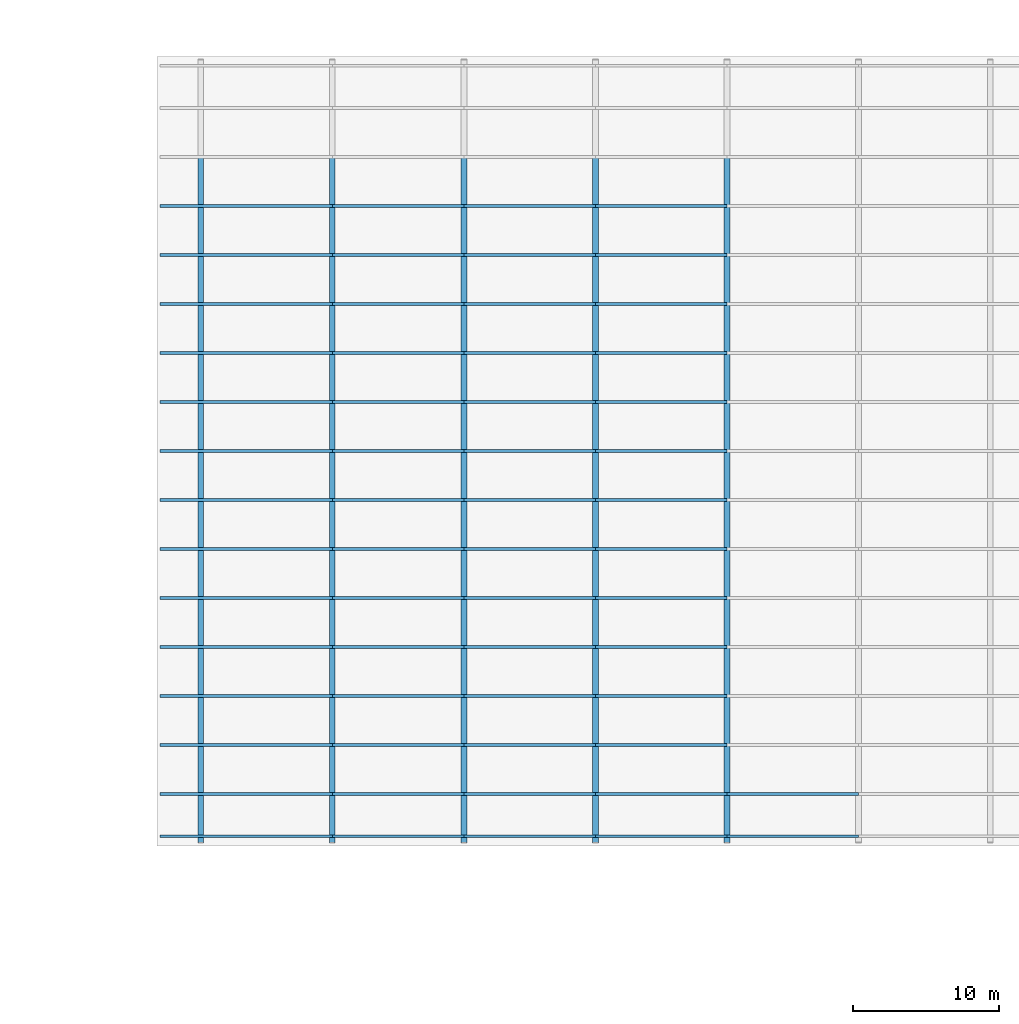
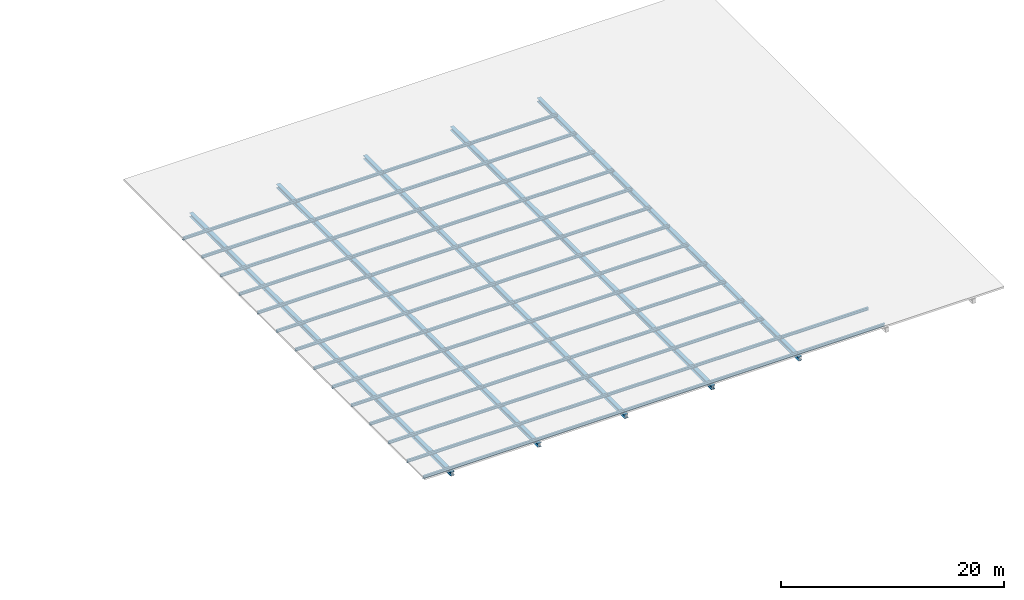
# One storey, part 7 of 32: 93 members.
"""IFC4 building model written with IfcOpenShell, lengths in metres."""

from ifc_helpers import new_model, si_unit, direction, frame, origin, origin_2d, place, context, subcontext, project, spatial, i_section, extrude, material, material_profile, profile_set, type_object, element, save


model = new_model("IFC4")

# Units and contexts
model_context = context("Model", 3, precision=1e-05, world=origin(), true_north=direction((0.0, 1.0)))
body_context = subcontext(model_context, "Body", "Model", "MODEL_VIEW")
ifc_project = project(units=[si_unit("LENGTHUNIT", "METRE"), si_unit("AREAUNIT", "SQUARE_METRE"), si_unit("VOLUMEUNIT", "CUBIC_METRE"), si_unit("PLANEANGLEUNIT", "RADIAN"), si_unit("MASSUNIT", "GRAM", prefix="KILO")], contexts=[model_context])

# Site, building, storey
site_placement = place(None, origin())
site = spatial("IfcSite", under=ifc_project, at=site_placement, CompositionType="ELEMENT")
building_placement = place(site_placement, origin())
building = spatial("IfcBuilding", under=site, at=building_placement, Name="Hunhe Ridgeline Campus", CompositionType="ELEMENT")
storey_placement = place(building_placement, frame((0.0, 0.0, 26.39990234375)))
storey = spatial("IfcBuildingStorey", under=building, at=storey_placement, Name="L05", CompositionType="ELEMENT", Elevation=26.39990234375)

# Members
ifc_material = material(Name="Steel Q355", Category="steel")
ifc_material_profile_1 = material_profile(ifc_material, i_section(OverallWidth=0.199951171875, OverallDepth=0.2939453125, WebThickness=0.008056640625, FlangeThickness=0.011962890625, FilletRadius=0.012939453125, at=origin_2d()))
ifc_profile_set_1 = profile_set([ifc_material_profile_1], Name="Steel Q355")
member_type_1 = type_object("IfcMemberType", Name="Roof purlin HM294x200x8x12 Q355", PredefinedType="PURLIN", material=ifc_profile_set_1)
member_1_placement = place(storey_placement, frame((150.199951171875, 23.14990234375, 0.72705078125), z_axis=(1.0, 0.0, 0.0), x_axis=(0.0, 1.0, 0.0)))
element("IfcMember", 1, at=member_1_placement, inside=storey, type_object=member_type_1, Name="Roof purlin 1", PredefinedType="PURLIN", context=body_context, shape_type="SweptSolid", body=[
    extrude(i_section(OverallWidth=0.199951171875, OverallDepth=0.2939453125, WebThickness=0.008056640625, FlangeThickness=0.011962890625, FilletRadius=0.012939453125, at=origin_2d()), origin(), (0.0, 0.0, 1.0), 11.800048828125),
])
for number, where, z_axis, x_axis, name in (
    (2, (162.0, 23.14990234375, 0.72705078125), (1.0, 0.0, 0.0), (0.0, 1.0, 0.0), "Roof purlin 2"),
    (3, (171.0, 23.14990234375, 0.72705078125), (1.0, 0.0, 0.0), (0.0, 1.0, 0.0), "Roof purlin 3"),
    (4, (180.0, 23.14990234375, 0.72705078125), (1.0, 0.0, 0.0), (0.0, 1.0, 0.0), "Roof purlin 4"),
    (5, (189.0, 23.14990234375, 0.72705078125), (1.0, 0.0, 0.0), (0.0, 1.0, 0.0), "Roof purlin 5"),
):
    element("IfcMember", number, at=place(storey_placement, frame(where, z_axis=z_axis, x_axis=x_axis)), inside=storey, type_object=member_type_1, Name=name, PredefinedType="PURLIN", context=body_context, shape_type="SweptSolid", body=[
        extrude(i_section(OverallWidth=0.199951171875, OverallDepth=0.2939453125, WebThickness=0.008056640625, FlangeThickness=0.011962890625, FilletRadius=0.012939453125, at=origin_2d()), origin(), (0.0, 0.0, 1.0), 9.0),
    ])
member_2_placement = place(storey_placement, frame((150.199951171875, 26.050048828125, 0.72705078125), z_axis=(1.0, 0.0, 0.0), x_axis=(0.0, 1.0, 0.0)))
element("IfcMember", 6, at=member_2_placement, inside=storey, type_object=member_type_1, Name="Roof purlin 7", PredefinedType="PURLIN", context=body_context, shape_type="SweptSolid", body=[
    extrude(i_section(OverallWidth=0.199951171875, OverallDepth=0.2939453125, WebThickness=0.008056640625, FlangeThickness=0.011962890625, FilletRadius=0.012939453125, at=origin_2d()), origin(), (0.0, 0.0, 1.0), 11.800048828125),
])
for number, where, z_axis, x_axis, name in (
    (7, (162.0, 26.050048828125, 0.72705078125), (1.0, 0.0, 0.0), (0.0, 1.0, 0.0), "Roof purlin 8"),
    (8, (171.0, 26.050048828125, 0.72705078125), (1.0, 0.0, 0.0), (0.0, 1.0, 0.0), "Roof purlin 9"),
    (9, (180.0, 26.050048828125, 0.72705078125), (1.0, 0.0, 0.0), (0.0, 1.0, 0.0), "Roof purlin 10"),
    (10, (189.0, 26.050048828125, 0.72705078125), (1.0, 0.0, 0.0), (0.0, 1.0, 0.0), "Roof purlin 11"),
):
    element("IfcMember", number, at=place(storey_placement, frame(where, z_axis=z_axis, x_axis=x_axis)), inside=storey, type_object=member_type_1, Name=name, PredefinedType="PURLIN", context=body_context, shape_type="SweptSolid", body=[
        extrude(i_section(OverallWidth=0.199951171875, OverallDepth=0.2939453125, WebThickness=0.008056640625, FlangeThickness=0.011962890625, FilletRadius=0.012939453125, at=origin_2d()), origin(), (0.0, 0.0, 1.0), 9.0),
    ])
member_3_placement = place(storey_placement, frame((150.199951171875, 29.39990234375, 0.72705078125), z_axis=(1.0, 0.0, 0.0), x_axis=(0.0, 1.0, 0.0)))
element("IfcMember", 11, at=member_3_placement, inside=storey, type_object=member_type_1, Name="Roof purlin 13", PredefinedType="PURLIN", context=body_context, shape_type="SweptSolid", body=[
    extrude(i_section(OverallWidth=0.199951171875, OverallDepth=0.2939453125, WebThickness=0.008056640625, FlangeThickness=0.011962890625, FilletRadius=0.012939453125, at=origin_2d()), origin(), (0.0, 0.0, 1.0), 11.800048828125),
])
for number, where, z_axis, x_axis, name in (
    (12, (162.0, 29.39990234375, 0.72705078125), (1.0, 0.0, 0.0), (0.0, 1.0, 0.0), "Roof purlin 14"),
    (13, (171.0, 29.39990234375, 0.72705078125), (1.0, 0.0, 0.0), (0.0, 1.0, 0.0), "Roof purlin 15"),
    (14, (180.0, 29.39990234375, 0.72705078125), (1.0, 0.0, 0.0), (0.0, 1.0, 0.0), "Roof purlin 16"),
):
    element("IfcMember", number, at=place(storey_placement, frame(where, z_axis=z_axis, x_axis=x_axis)), inside=storey, type_object=member_type_1, Name=name, PredefinedType="PURLIN", context=body_context, shape_type="SweptSolid", body=[
        extrude(i_section(OverallWidth=0.199951171875, OverallDepth=0.2939453125, WebThickness=0.008056640625, FlangeThickness=0.011962890625, FilletRadius=0.012939453125, at=origin_2d()), origin(), (0.0, 0.0, 1.0), 9.0),
    ])
member_4_placement = place(storey_placement, frame((150.199951171875, 32.75, 0.72705078125), z_axis=(1.0, 0.0, 0.0), x_axis=(0.0, 1.0, 0.0)))
element("IfcMember", 15, at=member_4_placement, inside=storey, type_object=member_type_1, Name="Roof purlin 19", PredefinedType="PURLIN", context=body_context, shape_type="SweptSolid", body=[
    extrude(i_section(OverallWidth=0.199951171875, OverallDepth=0.2939453125, WebThickness=0.008056640625, FlangeThickness=0.011962890625, FilletRadius=0.012939453125, at=origin_2d()), origin(), (0.0, 0.0, 1.0), 11.800048828125),
])
for number, where, z_axis, x_axis, name in (
    (16, (162.0, 32.75, 0.72705078125), (1.0, 0.0, 0.0), (0.0, 1.0, 0.0), "Roof purlin 20"),
    (17, (171.0, 32.75, 0.72705078125), (1.0, 0.0, 0.0), (0.0, 1.0, 0.0), "Roof purlin 21"),
    (18, (180.0, 32.75, 0.72705078125), (1.0, 0.0, 0.0), (0.0, 1.0, 0.0), "Roof purlin 22"),
):
    element("IfcMember", number, at=place(storey_placement, frame(where, z_axis=z_axis, x_axis=x_axis)), inside=storey, type_object=member_type_1, Name=name, PredefinedType="PURLIN", context=body_context, shape_type="SweptSolid", body=[
        extrude(i_section(OverallWidth=0.199951171875, OverallDepth=0.2939453125, WebThickness=0.008056640625, FlangeThickness=0.011962890625, FilletRadius=0.012939453125, at=origin_2d()), origin(), (0.0, 0.0, 1.0), 9.0),
    ])
member_5_placement = place(storey_placement, frame((150.199951171875, 36.10009765625, 0.72705078125), z_axis=(1.0, 0.0, 0.0), x_axis=(0.0, 1.0, 0.0)))
element("IfcMember", 19, at=member_5_placement, inside=storey, type_object=member_type_1, Name="Roof purlin 25", PredefinedType="PURLIN", context=body_context, shape_type="SweptSolid", body=[
    extrude(i_section(OverallWidth=0.199951171875, OverallDepth=0.2939453125, WebThickness=0.008056640625, FlangeThickness=0.011962890625, FilletRadius=0.012939453125, at=origin_2d()), origin(), (0.0, 0.0, 1.0), 11.800048828125),
])
for number, where, z_axis, x_axis, name in (
    (20, (162.0, 36.10009765625, 0.72705078125), (1.0, 0.0, 0.0), (0.0, 1.0, 0.0), "Roof purlin 26"),
    (21, (171.0, 36.10009765625, 0.72705078125), (1.0, 0.0, 0.0), (0.0, 1.0, 0.0), "Roof purlin 27"),
    (22, (180.0, 36.10009765625, 0.72705078125), (1.0, 0.0, 0.0), (0.0, 1.0, 0.0), "Roof purlin 28"),
):
    element("IfcMember", number, at=place(storey_placement, frame(where, z_axis=z_axis, x_axis=x_axis)), inside=storey, type_object=member_type_1, Name=name, PredefinedType="PURLIN", context=body_context, shape_type="SweptSolid", body=[
        extrude(i_section(OverallWidth=0.199951171875, OverallDepth=0.2939453125, WebThickness=0.008056640625, FlangeThickness=0.011962890625, FilletRadius=0.012939453125, at=origin_2d()), origin(), (0.0, 0.0, 1.0), 9.0),
    ])
member_6_placement = place(storey_placement, frame((150.199951171875, 39.449951171875, 0.72705078125), z_axis=(1.0, 0.0, 0.0), x_axis=(0.0, 1.0, 0.0)))
element("IfcMember", 23, at=member_6_placement, inside=storey, type_object=member_type_1, Name="Roof purlin 31", PredefinedType="PURLIN", context=body_context, shape_type="SweptSolid", body=[
    extrude(i_section(OverallWidth=0.199951171875, OverallDepth=0.2939453125, WebThickness=0.008056640625, FlangeThickness=0.011962890625, FilletRadius=0.012939453125, at=origin_2d()), origin(), (0.0, 0.0, 1.0), 11.800048828125),
])
for number, where, z_axis, x_axis, name in (
    (24, (162.0, 39.449951171875, 0.72705078125), (1.0, 0.0, 0.0), (0.0, 1.0, 0.0), "Roof purlin 32"),
    (25, (171.0, 39.449951171875, 0.72705078125), (1.0, 0.0, 0.0), (0.0, 1.0, 0.0), "Roof purlin 33"),
    (26, (180.0, 39.449951171875, 0.72705078125), (1.0, 0.0, 0.0), (0.0, 1.0, 0.0), "Roof purlin 34"),
):
    element("IfcMember", number, at=place(storey_placement, frame(where, z_axis=z_axis, x_axis=x_axis)), inside=storey, type_object=member_type_1, Name=name, PredefinedType="PURLIN", context=body_context, shape_type="SweptSolid", body=[
        extrude(i_section(OverallWidth=0.199951171875, OverallDepth=0.2939453125, WebThickness=0.008056640625, FlangeThickness=0.011962890625, FilletRadius=0.012939453125, at=origin_2d()), origin(), (0.0, 0.0, 1.0), 9.0),
    ])
member_7_placement = place(storey_placement, frame((150.199951171875, 42.800048828125, 0.72705078125), z_axis=(1.0, 0.0, 0.0), x_axis=(0.0, 1.0, 0.0)))
element("IfcMember", 27, at=member_7_placement, inside=storey, type_object=member_type_1, Name="Roof purlin 37", PredefinedType="PURLIN", context=body_context, shape_type="SweptSolid", body=[
    extrude(i_section(OverallWidth=0.199951171875, OverallDepth=0.2939453125, WebThickness=0.008056640625, FlangeThickness=0.011962890625, FilletRadius=0.012939453125, at=origin_2d()), origin(), (0.0, 0.0, 1.0), 11.800048828125),
])
for number, where, z_axis, x_axis, name in (
    (28, (162.0, 42.800048828125, 0.72705078125), (1.0, 0.0, 0.0), (0.0, 1.0, 0.0), "Roof purlin 38"),
    (29, (171.0, 42.800048828125, 0.72705078125), (1.0, 0.0, 0.0), (0.0, 1.0, 0.0), "Roof purlin 39"),
    (30, (180.0, 42.800048828125, 0.72705078125), (1.0, 0.0, 0.0), (0.0, 1.0, 0.0), "Roof purlin 40"),
):
    element("IfcMember", number, at=place(storey_placement, frame(where, z_axis=z_axis, x_axis=x_axis)), inside=storey, type_object=member_type_1, Name=name, PredefinedType="PURLIN", context=body_context, shape_type="SweptSolid", body=[
        extrude(i_section(OverallWidth=0.199951171875, OverallDepth=0.2939453125, WebThickness=0.008056640625, FlangeThickness=0.011962890625, FilletRadius=0.012939453125, at=origin_2d()), origin(), (0.0, 0.0, 1.0), 9.0),
    ])
member_8_placement = place(storey_placement, frame((150.199951171875, 46.14990234375, 0.72705078125), z_axis=(1.0, 0.0, 0.0), x_axis=(0.0, 1.0, 0.0)))
element("IfcMember", 31, at=member_8_placement, inside=storey, type_object=member_type_1, Name="Roof purlin 43", PredefinedType="PURLIN", context=body_context, shape_type="SweptSolid", body=[
    extrude(i_section(OverallWidth=0.199951171875, OverallDepth=0.2939453125, WebThickness=0.008056640625, FlangeThickness=0.011962890625, FilletRadius=0.012939453125, at=origin_2d()), origin(), (0.0, 0.0, 1.0), 11.800048828125),
])
for number, where, z_axis, x_axis, name in (
    (32, (162.0, 46.14990234375, 0.72705078125), (1.0, 0.0, 0.0), (0.0, 1.0, 0.0), "Roof purlin 44"),
    (33, (171.0, 46.14990234375, 0.72705078125), (1.0, 0.0, 0.0), (0.0, 1.0, 0.0), "Roof purlin 45"),
    (34, (180.0, 46.14990234375, 0.72705078125), (1.0, 0.0, 0.0), (0.0, 1.0, 0.0), "Roof purlin 46"),
):
    element("IfcMember", number, at=place(storey_placement, frame(where, z_axis=z_axis, x_axis=x_axis)), inside=storey, type_object=member_type_1, Name=name, PredefinedType="PURLIN", context=body_context, shape_type="SweptSolid", body=[
        extrude(i_section(OverallWidth=0.199951171875, OverallDepth=0.2939453125, WebThickness=0.008056640625, FlangeThickness=0.011962890625, FilletRadius=0.012939453125, at=origin_2d()), origin(), (0.0, 0.0, 1.0), 9.0),
    ])
member_9_placement = place(storey_placement, frame((150.199951171875, 49.5, 0.72705078125), z_axis=(1.0, 0.0, 0.0), x_axis=(0.0, 1.0, 0.0)))
element("IfcMember", 35, at=member_9_placement, inside=storey, type_object=member_type_1, Name="Roof purlin 49", PredefinedType="PURLIN", context=body_context, shape_type="SweptSolid", body=[
    extrude(i_section(OverallWidth=0.199951171875, OverallDepth=0.2939453125, WebThickness=0.008056640625, FlangeThickness=0.011962890625, FilletRadius=0.012939453125, at=origin_2d()), origin(), (0.0, 0.0, 1.0), 11.800048828125),
])
for number, where, z_axis, x_axis, name in (
    (36, (162.0, 49.5, 0.72705078125), (1.0, 0.0, 0.0), (0.0, 1.0, 0.0), "Roof purlin 50"),
    (37, (171.0, 49.5, 0.72705078125), (1.0, 0.0, 0.0), (0.0, 1.0, 0.0), "Roof purlin 51"),
    (38, (180.0, 49.5, 0.72705078125), (1.0, 0.0, 0.0), (0.0, 1.0, 0.0), "Roof purlin 52"),
):
    element("IfcMember", number, at=place(storey_placement, frame(where, z_axis=z_axis, x_axis=x_axis)), inside=storey, type_object=member_type_1, Name=name, PredefinedType="PURLIN", context=body_context, shape_type="SweptSolid", body=[
        extrude(i_section(OverallWidth=0.199951171875, OverallDepth=0.2939453125, WebThickness=0.008056640625, FlangeThickness=0.011962890625, FilletRadius=0.012939453125, at=origin_2d()), origin(), (0.0, 0.0, 1.0), 9.0),
    ])
member_10_placement = place(storey_placement, frame((150.199951171875, 52.85009765625, 0.72705078125), z_axis=(1.0, 0.0, 0.0), x_axis=(0.0, 1.0, 0.0)))
element("IfcMember", 39, at=member_10_placement, inside=storey, type_object=member_type_1, Name="Roof purlin 55", PredefinedType="PURLIN", context=body_context, shape_type="SweptSolid", body=[
    extrude(i_section(OverallWidth=0.199951171875, OverallDepth=0.2939453125, WebThickness=0.008056640625, FlangeThickness=0.011962890625, FilletRadius=0.012939453125, at=origin_2d()), origin(), (0.0, 0.0, 1.0), 11.800048828125),
])
for number, where, z_axis, x_axis, name in (
    (40, (162.0, 52.85009765625, 0.72705078125), (1.0, 0.0, 0.0), (0.0, 1.0, 0.0), "Roof purlin 56"),
    (41, (171.0, 52.85009765625, 0.72705078125), (1.0, 0.0, 0.0), (0.0, 1.0, 0.0), "Roof purlin 57"),
    (42, (180.0, 52.85009765625, 0.72705078125), (1.0, 0.0, 0.0), (0.0, 1.0, 0.0), "Roof purlin 58"),
):
    element("IfcMember", number, at=place(storey_placement, frame(where, z_axis=z_axis, x_axis=x_axis)), inside=storey, type_object=member_type_1, Name=name, PredefinedType="PURLIN", context=body_context, shape_type="SweptSolid", body=[
        extrude(i_section(OverallWidth=0.199951171875, OverallDepth=0.2939453125, WebThickness=0.008056640625, FlangeThickness=0.011962890625, FilletRadius=0.012939453125, at=origin_2d()), origin(), (0.0, 0.0, 1.0), 9.0),
    ])
member_11_placement = place(storey_placement, frame((150.199951171875, 56.199951171875, 0.72705078125), z_axis=(1.0, 0.0, 0.0), x_axis=(0.0, 1.0, 0.0)))
element("IfcMember", 43, at=member_11_placement, inside=storey, type_object=member_type_1, Name="Roof purlin 61", PredefinedType="PURLIN", context=body_context, shape_type="SweptSolid", body=[
    extrude(i_section(OverallWidth=0.199951171875, OverallDepth=0.2939453125, WebThickness=0.008056640625, FlangeThickness=0.011962890625, FilletRadius=0.012939453125, at=origin_2d()), origin(), (0.0, 0.0, 1.0), 11.800048828125),
])
for number, where, z_axis, x_axis, name in (
    (44, (162.0, 56.199951171875, 0.72705078125), (1.0, 0.0, 0.0), (0.0, 1.0, 0.0), "Roof purlin 62"),
    (45, (171.0, 56.199951171875, 0.72705078125), (1.0, 0.0, 0.0), (0.0, 1.0, 0.0), "Roof purlin 63"),
    (46, (180.0, 56.199951171875, 0.72705078125), (1.0, 0.0, 0.0), (0.0, 1.0, 0.0), "Roof purlin 64"),
):
    element("IfcMember", number, at=place(storey_placement, frame(where, z_axis=z_axis, x_axis=x_axis)), inside=storey, type_object=member_type_1, Name=name, PredefinedType="PURLIN", context=body_context, shape_type="SweptSolid", body=[
        extrude(i_section(OverallWidth=0.199951171875, OverallDepth=0.2939453125, WebThickness=0.008056640625, FlangeThickness=0.011962890625, FilletRadius=0.012939453125, at=origin_2d()), origin(), (0.0, 0.0, 1.0), 9.0),
    ])
member_12_placement = place(storey_placement, frame((150.199951171875, 59.550048828125, 0.72705078125), z_axis=(1.0, 0.0, 0.0), x_axis=(0.0, 1.0, 0.0)))
element("IfcMember", 47, at=member_12_placement, inside=storey, type_object=member_type_1, Name="Roof purlin 67", PredefinedType="PURLIN", context=body_context, shape_type="SweptSolid", body=[
    extrude(i_section(OverallWidth=0.199951171875, OverallDepth=0.2939453125, WebThickness=0.008056640625, FlangeThickness=0.011962890625, FilletRadius=0.012939453125, at=origin_2d()), origin(), (0.0, 0.0, 1.0), 11.800048828125),
])
for number, where, z_axis, x_axis, name in (
    (48, (162.0, 59.550048828125, 0.72705078125), (1.0, 0.0, 0.0), (0.0, 1.0, 0.0), "Roof purlin 68"),
    (49, (171.0, 59.550048828125, 0.72705078125), (1.0, 0.0, 0.0), (0.0, 1.0, 0.0), "Roof purlin 69"),
    (50, (180.0, 59.550048828125, 0.72705078125), (1.0, 0.0, 0.0), (0.0, 1.0, 0.0), "Roof purlin 70"),
):
    element("IfcMember", number, at=place(storey_placement, frame(where, z_axis=z_axis, x_axis=x_axis)), inside=storey, type_object=member_type_1, Name=name, PredefinedType="PURLIN", context=body_context, shape_type="SweptSolid", body=[
        extrude(i_section(OverallWidth=0.199951171875, OverallDepth=0.2939453125, WebThickness=0.008056640625, FlangeThickness=0.011962890625, FilletRadius=0.012939453125, at=origin_2d()), origin(), (0.0, 0.0, 1.0), 9.0),
    ])
member_13_placement = place(storey_placement, frame((150.199951171875, 62.89990234375, 0.72705078125), z_axis=(1.0, 0.0, 0.0), x_axis=(0.0, 1.0, 0.0)))
element("IfcMember", 51, at=member_13_placement, inside=storey, type_object=member_type_1, Name="Roof purlin 73", PredefinedType="PURLIN", context=body_context, shape_type="SweptSolid", body=[
    extrude(i_section(OverallWidth=0.199951171875, OverallDepth=0.2939453125, WebThickness=0.008056640625, FlangeThickness=0.011962890625, FilletRadius=0.012939453125, at=origin_2d()), origin(), (0.0, 0.0, 1.0), 11.800048828125),
])
for number, where, z_axis, x_axis, name in (
    (52, (162.0, 62.89990234375, 0.72705078125), (1.0, 0.0, 0.0), (0.0, 1.0, 0.0), "Roof purlin 74"),
    (53, (171.0, 62.89990234375, 0.72705078125), (1.0, 0.0, 0.0), (0.0, 1.0, 0.0), "Roof purlin 75"),
    (54, (180.0, 62.89990234375, 0.72705078125), (1.0, 0.0, 0.0), (0.0, 1.0, 0.0), "Roof purlin 76"),
):
    element("IfcMember", number, at=place(storey_placement, frame(where, z_axis=z_axis, x_axis=x_axis)), inside=storey, type_object=member_type_1, Name=name, PredefinedType="PURLIN", context=body_context, shape_type="SweptSolid", body=[
        extrude(i_section(OverallWidth=0.199951171875, OverallDepth=0.2939453125, WebThickness=0.008056640625, FlangeThickness=0.011962890625, FilletRadius=0.012939453125, at=origin_2d()), origin(), (0.0, 0.0, 1.0), 9.0),
    ])
member_14_placement = place(storey_placement, frame((150.199951171875, 66.25, 0.72705078125), z_axis=(1.0, 0.0, 0.0), x_axis=(0.0, 1.0, 0.0)))
element("IfcMember", 55, at=member_14_placement, inside=storey, type_object=member_type_1, Name="Roof purlin 79", PredefinedType="PURLIN", context=body_context, shape_type="SweptSolid", body=[
    extrude(i_section(OverallWidth=0.199951171875, OverallDepth=0.2939453125, WebThickness=0.008056640625, FlangeThickness=0.011962890625, FilletRadius=0.012939453125, at=origin_2d()), origin(), (0.0, 0.0, 1.0), 11.800048828125),
])
for number, where, z_axis, x_axis, name in (
    (56, (162.0, 66.25, 0.72705078125), (1.0, 0.0, 0.0), (0.0, 1.0, 0.0), "Roof purlin 80"),
    (57, (171.0, 66.25, 0.72705078125), (1.0, 0.0, 0.0), (0.0, 1.0, 0.0), "Roof purlin 81"),
    (58, (180.0, 66.25, 0.72705078125), (1.0, 0.0, 0.0), (0.0, 1.0, 0.0), "Roof purlin 82"),
):
    element("IfcMember", number, at=place(storey_placement, frame(where, z_axis=z_axis, x_axis=x_axis)), inside=storey, type_object=member_type_1, Name=name, PredefinedType="PURLIN", context=body_context, shape_type="SweptSolid", body=[
        extrude(i_section(OverallWidth=0.199951171875, OverallDepth=0.2939453125, WebThickness=0.008056640625, FlangeThickness=0.011962890625, FilletRadius=0.012939453125, at=origin_2d()), origin(), (0.0, 0.0, 1.0), 9.0),
    ])
ifc_material_profile_2 = material_profile(ifc_material, i_section(OverallWidth=0.39990234375, OverallDepth=0.39990234375, WebThickness=0.012939453125, FlangeThickness=0.02099609375, FilletRadius=0.02197265625, at=origin_2d()))
ifc_profile_set_2 = profile_set([ifc_material_profile_2], Name="Steel Q355")
member_type_2 = type_object("IfcMemberType", Name="Roof truss chord HW400x400x13x21 Q355", PredefinedType="CHORD", material=ifc_profile_set_2)
member_15_placement = place(storey_placement, frame((153.0, 22.699951171875, 0.39013671875), z_axis=(0.0, 1.0, 0.0), x_axis=(-1.0, 0.0, 0.0)))
element("IfcMember", 59, at=member_15_placement, inside=storey, type_object=member_type_2, Name="Roof truss 1 top chord 1", PredefinedType="CHORD", context=body_context, shape_type="SweptSolid", body=[
    extrude(i_section(OverallWidth=0.39990234375, OverallDepth=0.39990234375, WebThickness=0.012939453125, FlangeThickness=0.02099609375, FilletRadius=0.02197265625, at=origin_2d()), origin(), (0.0, 0.0, 1.0), 6.699951171875),
])
member_16_placement = place(storey_placement, frame((153.0, 29.39990234375, 0.39013671875), z_axis=(0.0, 1.0, 0.0), x_axis=(-1.0, 0.0, 0.0)))
element("IfcMember", 60, at=member_16_placement, inside=storey, type_object=member_type_2, Name="Roof truss 1 top chord 2", PredefinedType="CHORD", context=body_context, shape_type="SweptSolid", body=[
    extrude(i_section(OverallWidth=0.39990234375, OverallDepth=0.39990234375, WebThickness=0.012939453125, FlangeThickness=0.02099609375, FilletRadius=0.02197265625, at=origin_2d()), origin(), (0.0, 0.0, 1.0), 6.7001953125),
])
for number, where, z_axis, x_axis, name in (
    (61, (153.0, 36.10009765625, 0.39013671875), (0.0, 1.0, 0.0), (-1.0, 0.0, 0.0), "Roof truss 1 top chord 3"),
    (62, (153.0, 42.800048828125, 0.39013671875), (0.0, 1.0, 0.0), (-1.0, 0.0, 0.0), "Roof truss 1 top chord 4"),
    (63, (153.0, 49.5, 0.39013671875), (0.0, 1.0, 0.0), (-1.0, 0.0, 0.0), "Roof truss 1 top chord 5"),
    (64, (153.0, 56.199951171875, 0.39013671875), (0.0, 1.0, 0.0), (-1.0, 0.0, 0.0), "Roof truss 1 top chord 6"),
):
    element("IfcMember", number, at=place(storey_placement, frame(where, z_axis=z_axis, x_axis=x_axis)), inside=storey, type_object=member_type_2, Name=name, PredefinedType="CHORD", context=body_context, shape_type="SweptSolid", body=[
        extrude(i_section(OverallWidth=0.39990234375, OverallDepth=0.39990234375, WebThickness=0.012939453125, FlangeThickness=0.02099609375, FilletRadius=0.02197265625, at=origin_2d()), origin(), (0.0, 0.0, 1.0), 6.699951171875),
    ])
member_17_placement = place(storey_placement, frame((153.0, 62.89990234375, 0.39013671875), z_axis=(0.0, 1.0, 0.0), x_axis=(-1.0, 0.0, 0.0)))
element("IfcMember", 65, at=member_17_placement, inside=storey, type_object=member_type_2, Name="Roof truss 1 top chord 7", PredefinedType="CHORD", context=body_context, shape_type="SweptSolid", body=[
    extrude(i_section(OverallWidth=0.39990234375, OverallDepth=0.39990234375, WebThickness=0.012939453125, FlangeThickness=0.02099609375, FilletRadius=0.02197265625, at=origin_2d()), origin(), (0.0, 0.0, 1.0), 6.7001953125),
])
member_18_placement = place(storey_placement, frame((162.0, 22.699951171875, 0.39013671875), z_axis=(0.0, 1.0, 0.0), x_axis=(-1.0, 0.0, 0.0)))
element("IfcMember", 66, at=member_18_placement, inside=storey, type_object=member_type_2, Name="Roof truss 2 top chord 1", PredefinedType="CHORD", context=body_context, shape_type="SweptSolid", body=[
    extrude(i_section(OverallWidth=0.39990234375, OverallDepth=0.39990234375, WebThickness=0.012939453125, FlangeThickness=0.02099609375, FilletRadius=0.02197265625, at=origin_2d()), origin(), (0.0, 0.0, 1.0), 6.699951171875),
])
member_19_placement = place(storey_placement, frame((162.0, 29.39990234375, 0.39013671875), z_axis=(0.0, 1.0, 0.0), x_axis=(-1.0, 0.0, 0.0)))
element("IfcMember", 67, at=member_19_placement, inside=storey, type_object=member_type_2, Name="Roof truss 2 top chord 2", PredefinedType="CHORD", context=body_context, shape_type="SweptSolid", body=[
    extrude(i_section(OverallWidth=0.39990234375, OverallDepth=0.39990234375, WebThickness=0.012939453125, FlangeThickness=0.02099609375, FilletRadius=0.02197265625, at=origin_2d()), origin(), (0.0, 0.0, 1.0), 6.7001953125),
])
for number, where, z_axis, x_axis, name in (
    (68, (162.0, 36.10009765625, 0.39013671875), (0.0, 1.0, 0.0), (-1.0, 0.0, 0.0), "Roof truss 2 top chord 3"),
    (69, (162.0, 42.800048828125, 0.39013671875), (0.0, 1.0, 0.0), (-1.0, 0.0, 0.0), "Roof truss 2 top chord 4"),
    (70, (162.0, 49.5, 0.39013671875), (0.0, 1.0, 0.0), (-1.0, 0.0, 0.0), "Roof truss 2 top chord 5"),
    (71, (162.0, 56.199951171875, 0.39013671875), (0.0, 1.0, 0.0), (-1.0, 0.0, 0.0), "Roof truss 2 top chord 6"),
):
    element("IfcMember", number, at=place(storey_placement, frame(where, z_axis=z_axis, x_axis=x_axis)), inside=storey, type_object=member_type_2, Name=name, PredefinedType="CHORD", context=body_context, shape_type="SweptSolid", body=[
        extrude(i_section(OverallWidth=0.39990234375, OverallDepth=0.39990234375, WebThickness=0.012939453125, FlangeThickness=0.02099609375, FilletRadius=0.02197265625, at=origin_2d()), origin(), (0.0, 0.0, 1.0), 6.699951171875),
    ])
member_20_placement = place(storey_placement, frame((162.0, 62.89990234375, 0.39013671875), z_axis=(0.0, 1.0, 0.0), x_axis=(-1.0, 0.0, 0.0)))
element("IfcMember", 72, at=member_20_placement, inside=storey, type_object=member_type_2, Name="Roof truss 2 top chord 7", PredefinedType="CHORD", context=body_context, shape_type="SweptSolid", body=[
    extrude(i_section(OverallWidth=0.39990234375, OverallDepth=0.39990234375, WebThickness=0.012939453125, FlangeThickness=0.02099609375, FilletRadius=0.02197265625, at=origin_2d()), origin(), (0.0, 0.0, 1.0), 6.7001953125),
])
member_21_placement = place(storey_placement, frame((171.0, 22.699951171875, 0.39013671875), z_axis=(0.0, 1.0, 0.0), x_axis=(-1.0, 0.0, 0.0)))
element("IfcMember", 73, at=member_21_placement, inside=storey, type_object=member_type_2, Name="Roof truss 3 top chord 1", PredefinedType="CHORD", context=body_context, shape_type="SweptSolid", body=[
    extrude(i_section(OverallWidth=0.39990234375, OverallDepth=0.39990234375, WebThickness=0.012939453125, FlangeThickness=0.02099609375, FilletRadius=0.02197265625, at=origin_2d()), origin(), (0.0, 0.0, 1.0), 6.699951171875),
])
member_22_placement = place(storey_placement, frame((171.0, 29.39990234375, 0.39013671875), z_axis=(0.0, 1.0, 0.0), x_axis=(-1.0, 0.0, 0.0)))
element("IfcMember", 74, at=member_22_placement, inside=storey, type_object=member_type_2, Name="Roof truss 3 top chord 2", PredefinedType="CHORD", context=body_context, shape_type="SweptSolid", body=[
    extrude(i_section(OverallWidth=0.39990234375, OverallDepth=0.39990234375, WebThickness=0.012939453125, FlangeThickness=0.02099609375, FilletRadius=0.02197265625, at=origin_2d()), origin(), (0.0, 0.0, 1.0), 6.7001953125),
])
for number, where, z_axis, x_axis, name in (
    (75, (171.0, 36.10009765625, 0.39013671875), (0.0, 1.0, 0.0), (-1.0, 0.0, 0.0), "Roof truss 3 top chord 3"),
    (76, (171.0, 42.800048828125, 0.39013671875), (0.0, 1.0, 0.0), (-1.0, 0.0, 0.0), "Roof truss 3 top chord 4"),
    (77, (171.0, 49.5, 0.39013671875), (0.0, 1.0, 0.0), (-1.0, 0.0, 0.0), "Roof truss 3 top chord 5"),
    (78, (171.0, 56.199951171875, 0.39013671875), (0.0, 1.0, 0.0), (-1.0, 0.0, 0.0), "Roof truss 3 top chord 6"),
):
    element("IfcMember", number, at=place(storey_placement, frame(where, z_axis=z_axis, x_axis=x_axis)), inside=storey, type_object=member_type_2, Name=name, PredefinedType="CHORD", context=body_context, shape_type="SweptSolid", body=[
        extrude(i_section(OverallWidth=0.39990234375, OverallDepth=0.39990234375, WebThickness=0.012939453125, FlangeThickness=0.02099609375, FilletRadius=0.02197265625, at=origin_2d()), origin(), (0.0, 0.0, 1.0), 6.699951171875),
    ])
member_23_placement = place(storey_placement, frame((171.0, 62.89990234375, 0.39013671875), z_axis=(0.0, 1.0, 0.0), x_axis=(-1.0, 0.0, 0.0)))
element("IfcMember", 79, at=member_23_placement, inside=storey, type_object=member_type_2, Name="Roof truss 3 top chord 7", PredefinedType="CHORD", context=body_context, shape_type="SweptSolid", body=[
    extrude(i_section(OverallWidth=0.39990234375, OverallDepth=0.39990234375, WebThickness=0.012939453125, FlangeThickness=0.02099609375, FilletRadius=0.02197265625, at=origin_2d()), origin(), (0.0, 0.0, 1.0), 6.7001953125),
])
member_24_placement = place(storey_placement, frame((180.0, 22.699951171875, 0.39013671875), z_axis=(0.0, 1.0, 0.0), x_axis=(-1.0, 0.0, 0.0)))
element("IfcMember", 80, at=member_24_placement, inside=storey, type_object=member_type_2, Name="Roof truss 4 top chord 1", PredefinedType="CHORD", context=body_context, shape_type="SweptSolid", body=[
    extrude(i_section(OverallWidth=0.39990234375, OverallDepth=0.39990234375, WebThickness=0.012939453125, FlangeThickness=0.02099609375, FilletRadius=0.02197265625, at=origin_2d()), origin(), (0.0, 0.0, 1.0), 6.699951171875),
])
member_25_placement = place(storey_placement, frame((180.0, 29.39990234375, 0.39013671875), z_axis=(0.0, 1.0, 0.0), x_axis=(-1.0, 0.0, 0.0)))
element("IfcMember", 81, at=member_25_placement, inside=storey, type_object=member_type_2, Name="Roof truss 4 top chord 2", PredefinedType="CHORD", context=body_context, shape_type="SweptSolid", body=[
    extrude(i_section(OverallWidth=0.39990234375, OverallDepth=0.39990234375, WebThickness=0.012939453125, FlangeThickness=0.02099609375, FilletRadius=0.02197265625, at=origin_2d()), origin(), (0.0, 0.0, 1.0), 6.7001953125),
])
for number, where, z_axis, x_axis, name in (
    (82, (180.0, 36.10009765625, 0.39013671875), (0.0, 1.0, 0.0), (-1.0, 0.0, 0.0), "Roof truss 4 top chord 3"),
    (83, (180.0, 42.800048828125, 0.39013671875), (0.0, 1.0, 0.0), (-1.0, 0.0, 0.0), "Roof truss 4 top chord 4"),
    (84, (180.0, 49.5, 0.39013671875), (0.0, 1.0, 0.0), (-1.0, 0.0, 0.0), "Roof truss 4 top chord 5"),
    (85, (180.0, 56.199951171875, 0.39013671875), (0.0, 1.0, 0.0), (-1.0, 0.0, 0.0), "Roof truss 4 top chord 6"),
):
    element("IfcMember", number, at=place(storey_placement, frame(where, z_axis=z_axis, x_axis=x_axis)), inside=storey, type_object=member_type_2, Name=name, PredefinedType="CHORD", context=body_context, shape_type="SweptSolid", body=[
        extrude(i_section(OverallWidth=0.39990234375, OverallDepth=0.39990234375, WebThickness=0.012939453125, FlangeThickness=0.02099609375, FilletRadius=0.02197265625, at=origin_2d()), origin(), (0.0, 0.0, 1.0), 6.699951171875),
    ])
member_26_placement = place(storey_placement, frame((180.0, 62.89990234375, 0.39013671875), z_axis=(0.0, 1.0, 0.0), x_axis=(-1.0, 0.0, 0.0)))
element("IfcMember", 86, at=member_26_placement, inside=storey, type_object=member_type_2, Name="Roof truss 4 top chord 7", PredefinedType="CHORD", context=body_context, shape_type="SweptSolid", body=[
    extrude(i_section(OverallWidth=0.39990234375, OverallDepth=0.39990234375, WebThickness=0.012939453125, FlangeThickness=0.02099609375, FilletRadius=0.02197265625, at=origin_2d()), origin(), (0.0, 0.0, 1.0), 6.7001953125),
])
member_27_placement = place(storey_placement, frame((189.0, 22.699951171875, 0.39013671875), z_axis=(0.0, 1.0, 0.0), x_axis=(-1.0, 0.0, 0.0)))
element("IfcMember", 87, at=member_27_placement, inside=storey, type_object=member_type_2, Name="Roof truss 5 top chord 1", PredefinedType="CHORD", context=body_context, shape_type="SweptSolid", body=[
    extrude(i_section(OverallWidth=0.39990234375, OverallDepth=0.39990234375, WebThickness=0.012939453125, FlangeThickness=0.02099609375, FilletRadius=0.02197265625, at=origin_2d()), origin(), (0.0, 0.0, 1.0), 6.699951171875),
])
member_28_placement = place(storey_placement, frame((189.0, 29.39990234375, 0.39013671875), z_axis=(0.0, 1.0, 0.0), x_axis=(-1.0, 0.0, 0.0)))
element("IfcMember", 88, at=member_28_placement, inside=storey, type_object=member_type_2, Name="Roof truss 5 top chord 2", PredefinedType="CHORD", context=body_context, shape_type="SweptSolid", body=[
    extrude(i_section(OverallWidth=0.39990234375, OverallDepth=0.39990234375, WebThickness=0.012939453125, FlangeThickness=0.02099609375, FilletRadius=0.02197265625, at=origin_2d()), origin(), (0.0, 0.0, 1.0), 6.7001953125),
])
for number, where, z_axis, x_axis, name in (
    (89, (189.0, 36.10009765625, 0.39013671875), (0.0, 1.0, 0.0), (-1.0, 0.0, 0.0), "Roof truss 5 top chord 3"),
    (90, (189.0, 42.800048828125, 0.39013671875), (0.0, 1.0, 0.0), (-1.0, 0.0, 0.0), "Roof truss 5 top chord 4"),
    (91, (189.0, 49.5, 0.39013671875), (0.0, 1.0, 0.0), (-1.0, 0.0, 0.0), "Roof truss 5 top chord 5"),
    (92, (189.0, 56.199951171875, 0.39013671875), (0.0, 1.0, 0.0), (-1.0, 0.0, 0.0), "Roof truss 5 top chord 6"),
):
    element("IfcMember", number, at=place(storey_placement, frame(where, z_axis=z_axis, x_axis=x_axis)), inside=storey, type_object=member_type_2, Name=name, PredefinedType="CHORD", context=body_context, shape_type="SweptSolid", body=[
        extrude(i_section(OverallWidth=0.39990234375, OverallDepth=0.39990234375, WebThickness=0.012939453125, FlangeThickness=0.02099609375, FilletRadius=0.02197265625, at=origin_2d()), origin(), (0.0, 0.0, 1.0), 6.699951171875),
    ])
member_29_placement = place(storey_placement, frame((189.0, 62.89990234375, 0.39013671875), z_axis=(0.0, 1.0, 0.0), x_axis=(-1.0, 0.0, 0.0)))
element("IfcMember", 93, at=member_29_placement, inside=storey, type_object=member_type_2, Name="Roof truss 5 top chord 7", PredefinedType="CHORD", context=body_context, shape_type="SweptSolid", body=[
    extrude(i_section(OverallWidth=0.39990234375, OverallDepth=0.39990234375, WebThickness=0.012939453125, FlangeThickness=0.02099609375, FilletRadius=0.02197265625, at=origin_2d()), origin(), (0.0, 0.0, 1.0), 6.7001953125),
])

save(model, "model.ifc")
